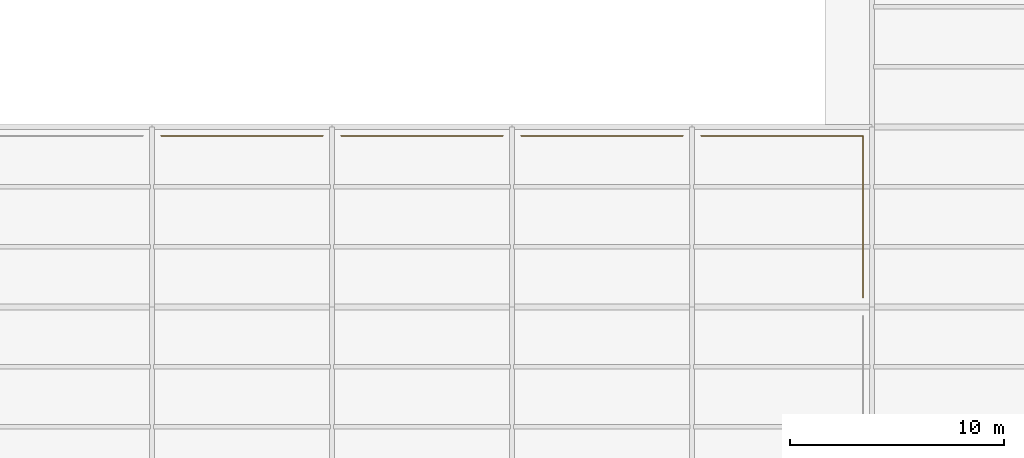
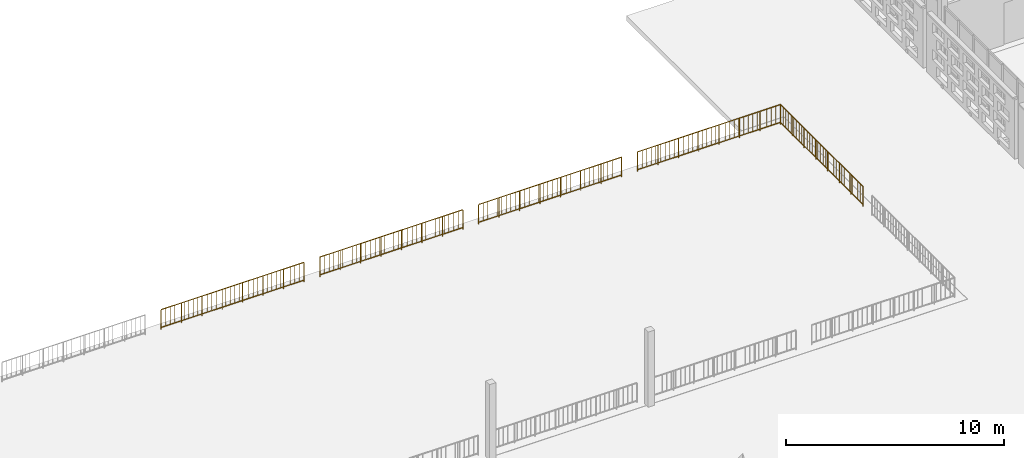
# One storey, part 127 of 166: 5 railings.
"""IFC4 building model written with IfcOpenShell, lengths in metres."""

from ifc_helpers import new_model, si_unit, direction, frame, origin, origin_2d, place, context, subcontext, project, spatial, circle, extrude, material, type_object, element, save


model = new_model("IFC4")

# Units and contexts
model_context = context("Model", 3, precision=1e-05, world=origin(), true_north=direction((0.0, 1.0)))
body_context = subcontext(model_context, "Body", "Model", "MODEL_VIEW")
ifc_project = project(units=[si_unit("LENGTHUNIT", "METRE"), si_unit("AREAUNIT", "SQUARE_METRE"), si_unit("VOLUMEUNIT", "CUBIC_METRE"), si_unit("PLANEANGLEUNIT", "RADIAN"), si_unit("MASSUNIT", "GRAM", prefix="KILO")], contexts=[model_context])

# Site, building, storey
site_placement = place(None, origin())
site = spatial("IfcSite", under=ifc_project, at=site_placement, CompositionType="ELEMENT")
building_placement = place(site_placement, origin())
building = spatial("IfcBuilding", under=site, at=building_placement, Name="Varnapada Polytechnic", CompositionType="ELEMENT")
storey_placement = place(building_placement, frame((0.0, 0.0, 9.60009765625)))
storey = spatial("IfcBuildingStorey", under=building, at=storey_placement, Name="L02", CompositionType="ELEMENT", Elevation=9.60009765625)

# Railings
ifc_material = material(Name="Painted galvanized steel", Category="steel")
railing_type = type_object("IfcRailingType", Name="Terrace Guard Rail GRD-01", PredefinedType="BALUSTRADE", material=ifc_material)
railing_1_placement = place(storey_placement, frame((92.820068359375, 41.580078125, 0.0)))
element("IfcRailing", 1, at=railing_1_placement, inside=storey, type_object=railing_type, Name="L02 terrace perimeter guard rail 10", PredefinedType="BALUSTRADE", context=body_context, shape_type="SweptSolid", body=[
    extrude(circle(Radius=0.02392578125, at=origin_2d()), frame((0.0, 0.0, 1.09619140625), z_axis=(1.0, 0.0, 0.0), x_axis=(0.0, 1.0, 0.0)), (0.0, 0.0, 1.0), 7.559814453125),
    extrude(circle(Radius=0.02392578125, at=origin_2d()), frame((0.0, 0.0, 0.10009765625), z_axis=(1.0, 0.0, 0.0), x_axis=(0.0, 1.0, 0.0)), (0.0, 0.0, 1.0), 7.559814453125),
    extrude(circle(Radius=0.02099609375, at=origin_2d()), origin(), (0.0, 0.0, 1.0), 1.072021484375),
    extrude(circle(Radius=0.02099609375, at=origin_2d()), frame((1.080078125, 0.0, 0.0)), (0.0, 0.0, 1.0), 1.072021484375),
    extrude(circle(Radius=0.02099609375, at=origin_2d()), frame((2.159912109375, 0.0, 0.0)), (0.0, 0.0, 1.0), 1.072021484375),
    extrude(circle(Radius=0.02099609375, at=origin_2d()), frame((3.239990234375, 0.0, 0.0)), (0.0, 0.0, 1.0), 1.072021484375),
    extrude(circle(Radius=0.02099609375, at=origin_2d()), frame((4.31982421875, 0.0, 0.0)), (0.0, 0.0, 1.0), 1.072021484375),
    extrude(circle(Radius=0.02099609375, at=origin_2d()), frame((5.39990234375, 0.0, 0.0)), (0.0, 0.0, 1.0), 1.072021484375),
    extrude(circle(Radius=0.02099609375, at=origin_2d()), frame((6.479736328125, 0.0, 0.0)), (0.0, 0.0, 1.0), 1.072021484375),
    extrude(circle(Radius=0.02099609375, at=origin_2d()), frame((7.559814453125, 0.0, 0.0)), (0.0, 0.0, 1.0), 1.072021484375),
    extrude(circle(Radius=0.010009765625, at=origin_2d()), frame((0.243896484375, 0.0, 0.10009765625)), (0.0, 0.0, 1.0), 0.971923828125),
    extrude(circle(Radius=0.010009765625, at=origin_2d()), frame((0.48779296875, 0.0, 0.10009765625)), (0.0, 0.0, 1.0), 0.971923828125),
    extrude(circle(Radius=0.010009765625, at=origin_2d()), frame((0.731689453125, 0.0, 0.10009765625)), (0.0, 0.0, 1.0), 0.971923828125),
    extrude(circle(Radius=0.010009765625, at=origin_2d()), frame((0.975341796875, 0.0, 0.10009765625)), (0.0, 0.0, 1.0), 0.971923828125),
    extrude(circle(Radius=0.010009765625, at=origin_2d()), frame((1.21923828125, 0.0, 0.10009765625)), (0.0, 0.0, 1.0), 0.971923828125),
    extrude(circle(Radius=0.010009765625, at=origin_2d()), frame((1.463134765625, 0.0, 0.10009765625)), (0.0, 0.0, 1.0), 0.971923828125),
    extrude(circle(Radius=0.010009765625, at=origin_2d()), frame((1.70703125, 0.0, 0.10009765625)), (0.0, 0.0, 1.0), 0.971923828125),
    extrude(circle(Radius=0.010009765625, at=origin_2d()), frame((1.950927734375, 0.0, 0.10009765625)), (0.0, 0.0, 1.0), 0.971923828125),
    extrude(circle(Radius=0.010009765625, at=origin_2d()), frame((2.19482421875, 0.0, 0.10009765625)), (0.0, 0.0, 1.0), 0.971923828125),
    extrude(circle(Radius=0.010009765625, at=origin_2d()), frame((2.438720703125, 0.0, 0.10009765625)), (0.0, 0.0, 1.0), 0.971923828125),
    extrude(circle(Radius=0.010009765625, at=origin_2d()), frame((2.6826171875, 0.0, 0.10009765625)), (0.0, 0.0, 1.0), 0.971923828125),
    extrude(circle(Radius=0.010009765625, at=origin_2d()), frame((2.92626953125, 0.0, 0.10009765625)), (0.0, 0.0, 1.0), 0.971923828125),
    extrude(circle(Radius=0.010009765625, at=origin_2d()), frame((3.170166015625, 0.0, 0.10009765625)), (0.0, 0.0, 1.0), 0.971923828125),
    extrude(circle(Radius=0.010009765625, at=origin_2d()), frame((3.4140625, 0.0, 0.10009765625)), (0.0, 0.0, 1.0), 0.971923828125),
    extrude(circle(Radius=0.010009765625, at=origin_2d()), frame((3.657958984375, 0.0, 0.10009765625)), (0.0, 0.0, 1.0), 0.971923828125),
    extrude(circle(Radius=0.010009765625, at=origin_2d()), frame((3.90185546875, 0.0, 0.10009765625)), (0.0, 0.0, 1.0), 0.971923828125),
    extrude(circle(Radius=0.010009765625, at=origin_2d()), frame((4.145751953125, 0.0, 0.10009765625)), (0.0, 0.0, 1.0), 0.971923828125),
    extrude(circle(Radius=0.010009765625, at=origin_2d()), frame((4.3896484375, 0.0, 0.10009765625)), (0.0, 0.0, 1.0), 0.971923828125),
    extrude(circle(Radius=0.010009765625, at=origin_2d()), frame((4.633544921875, 0.0, 0.10009765625)), (0.0, 0.0, 1.0), 0.971923828125),
    extrude(circle(Radius=0.010009765625, at=origin_2d()), frame((4.877197265625, 0.0, 0.10009765625)), (0.0, 0.0, 1.0), 0.971923828125),
    extrude(circle(Radius=0.010009765625, at=origin_2d()), frame((5.12109375, 0.0, 0.10009765625)), (0.0, 0.0, 1.0), 0.971923828125),
    extrude(circle(Radius=0.010009765625, at=origin_2d()), frame((5.364990234375, 0.0, 0.10009765625)), (0.0, 0.0, 1.0), 0.971923828125),
    extrude(circle(Radius=0.010009765625, at=origin_2d()), frame((5.60888671875, 0.0, 0.10009765625)), (0.0, 0.0, 1.0), 0.971923828125),
    extrude(circle(Radius=0.010009765625, at=origin_2d()), frame((5.852783203125, 0.0, 0.10009765625)), (0.0, 0.0, 1.0), 0.971923828125),
    extrude(circle(Radius=0.010009765625, at=origin_2d()), frame((6.0966796875, 0.0, 0.10009765625)), (0.0, 0.0, 1.0), 0.971923828125),
    extrude(circle(Radius=0.010009765625, at=origin_2d()), frame((6.340576171875, 0.0, 0.10009765625)), (0.0, 0.0, 1.0), 0.971923828125),
    extrude(circle(Radius=0.010009765625, at=origin_2d()), frame((6.58447265625, 0.0, 0.10009765625)), (0.0, 0.0, 1.0), 0.971923828125),
    extrude(circle(Radius=0.010009765625, at=origin_2d()), frame((6.828125, 0.0, 0.10009765625)), (0.0, 0.0, 1.0), 0.971923828125),
    extrude(circle(Radius=0.010009765625, at=origin_2d()), frame((7.072021484375, 0.0, 0.10009765625)), (0.0, 0.0, 1.0), 0.971923828125),
    extrude(circle(Radius=0.010009765625, at=origin_2d()), frame((7.31591796875, 0.0, 0.10009765625)), (0.0, 0.0, 1.0), 0.971923828125),
])
railing_2_placement = place(storey_placement, frame((101.219970703125, 41.580078125, 0.0)))
element("IfcRailing", 2, at=railing_2_placement, inside=storey, type_object=railing_type, Name="L02 terrace perimeter guard rail 12", PredefinedType="BALUSTRADE", context=body_context, shape_type="SweptSolid", body=[
    extrude(circle(Radius=0.02392578125, at=origin_2d()), frame((0.0, 0.0, 1.09619140625), z_axis=(1.0, 0.0, 0.0), x_axis=(0.0, 1.0, 0.0)), (0.0, 0.0, 1.0), 7.56005859375),
    extrude(circle(Radius=0.02392578125, at=origin_2d()), frame((0.0, 0.0, 0.10009765625), z_axis=(1.0, 0.0, 0.0), x_axis=(0.0, 1.0, 0.0)), (0.0, 0.0, 1.0), 7.56005859375),
    extrude(circle(Radius=0.02099609375, at=origin_2d()), origin(), (0.0, 0.0, 1.0), 1.072021484375),
    extrude(circle(Radius=0.02099609375, at=origin_2d()), frame((1.080078125, 0.0, 0.0)), (0.0, 0.0, 1.0), 1.072021484375),
    extrude(circle(Radius=0.02099609375, at=origin_2d()), frame((2.159912109375, 0.0, 0.0)), (0.0, 0.0, 1.0), 1.072021484375),
    extrude(circle(Radius=0.02099609375, at=origin_2d()), frame((3.239990234375, 0.0, 0.0)), (0.0, 0.0, 1.0), 1.072021484375),
    extrude(circle(Radius=0.02099609375, at=origin_2d()), frame((4.320068359375, 0.0, 0.0)), (0.0, 0.0, 1.0), 1.072021484375),
    extrude(circle(Radius=0.02099609375, at=origin_2d()), frame((5.400146484375, 0.0, 0.0)), (0.0, 0.0, 1.0), 1.072021484375),
    extrude(circle(Radius=0.02099609375, at=origin_2d()), frame((6.47998046875, 0.0, 0.0)), (0.0, 0.0, 1.0), 1.072021484375),
    extrude(circle(Radius=0.02099609375, at=origin_2d()), frame((7.56005859375, 0.0, 0.0)), (0.0, 0.0, 1.0), 1.072021484375),
    extrude(circle(Radius=0.010009765625, at=origin_2d()), frame((0.243896484375, 0.0, 0.10009765625)), (0.0, 0.0, 1.0), 0.971923828125),
    extrude(circle(Radius=0.010009765625, at=origin_2d()), frame((0.48779296875, 0.0, 0.10009765625)), (0.0, 0.0, 1.0), 0.971923828125),
    extrude(circle(Radius=0.010009765625, at=origin_2d()), frame((0.731689453125, 0.0, 0.10009765625)), (0.0, 0.0, 1.0), 0.971923828125),
    extrude(circle(Radius=0.010009765625, at=origin_2d()), frame((0.9755859375, 0.0, 0.10009765625)), (0.0, 0.0, 1.0), 0.971923828125),
    extrude(circle(Radius=0.010009765625, at=origin_2d()), frame((1.219482421875, 0.0, 0.10009765625)), (0.0, 0.0, 1.0), 0.971923828125),
    extrude(circle(Radius=0.010009765625, at=origin_2d()), frame((1.463134765625, 0.0, 0.10009765625)), (0.0, 0.0, 1.0), 0.971923828125),
    extrude(circle(Radius=0.010009765625, at=origin_2d()), frame((1.70703125, 0.0, 0.10009765625)), (0.0, 0.0, 1.0), 0.971923828125),
    extrude(circle(Radius=0.010009765625, at=origin_2d()), frame((1.950927734375, 0.0, 0.10009765625)), (0.0, 0.0, 1.0), 0.971923828125),
    extrude(circle(Radius=0.010009765625, at=origin_2d()), frame((2.19482421875, 0.0, 0.10009765625)), (0.0, 0.0, 1.0), 0.971923828125),
    extrude(circle(Radius=0.010009765625, at=origin_2d()), frame((2.438720703125, 0.0, 0.10009765625)), (0.0, 0.0, 1.0), 0.971923828125),
    extrude(circle(Radius=0.010009765625, at=origin_2d()), frame((2.6826171875, 0.0, 0.10009765625)), (0.0, 0.0, 1.0), 0.971923828125),
    extrude(circle(Radius=0.010009765625, at=origin_2d()), frame((2.926513671875, 0.0, 0.10009765625)), (0.0, 0.0, 1.0), 0.971923828125),
    extrude(circle(Radius=0.010009765625, at=origin_2d()), frame((3.17041015625, 0.0, 0.10009765625)), (0.0, 0.0, 1.0), 0.971923828125),
    extrude(circle(Radius=0.010009765625, at=origin_2d()), frame((3.414306640625, 0.0, 0.10009765625)), (0.0, 0.0, 1.0), 0.971923828125),
    extrude(circle(Radius=0.010009765625, at=origin_2d()), frame((3.658203125, 0.0, 0.10009765625)), (0.0, 0.0, 1.0), 0.971923828125),
    extrude(circle(Radius=0.010009765625, at=origin_2d()), frame((3.90185546875, 0.0, 0.10009765625)), (0.0, 0.0, 1.0), 0.971923828125),
    extrude(circle(Radius=0.010009765625, at=origin_2d()), frame((4.145751953125, 0.0, 0.10009765625)), (0.0, 0.0, 1.0), 0.971923828125),
    extrude(circle(Radius=0.010009765625, at=origin_2d()), frame((4.3896484375, 0.0, 0.10009765625)), (0.0, 0.0, 1.0), 0.971923828125),
    extrude(circle(Radius=0.010009765625, at=origin_2d()), frame((4.633544921875, 0.0, 0.10009765625)), (0.0, 0.0, 1.0), 0.971923828125),
    extrude(circle(Radius=0.010009765625, at=origin_2d()), frame((4.87744140625, 0.0, 0.10009765625)), (0.0, 0.0, 1.0), 0.971923828125),
    extrude(circle(Radius=0.010009765625, at=origin_2d()), frame((5.121337890625, 0.0, 0.10009765625)), (0.0, 0.0, 1.0), 0.971923828125),
    extrude(circle(Radius=0.010009765625, at=origin_2d()), frame((5.365234375, 0.0, 0.10009765625)), (0.0, 0.0, 1.0), 0.971923828125),
    extrude(circle(Radius=0.010009765625, at=origin_2d()), frame((5.609130859375, 0.0, 0.10009765625)), (0.0, 0.0, 1.0), 0.971923828125),
    extrude(circle(Radius=0.010009765625, at=origin_2d()), frame((5.85302734375, 0.0, 0.10009765625)), (0.0, 0.0, 1.0), 0.971923828125),
    extrude(circle(Radius=0.010009765625, at=origin_2d()), frame((6.096923828125, 0.0, 0.10009765625)), (0.0, 0.0, 1.0), 0.971923828125),
    extrude(circle(Radius=0.010009765625, at=origin_2d()), frame((6.340576171875, 0.0, 0.10009765625)), (0.0, 0.0, 1.0), 0.971923828125),
    extrude(circle(Radius=0.010009765625, at=origin_2d()), frame((6.58447265625, 0.0, 0.10009765625)), (0.0, 0.0, 1.0), 0.971923828125),
    extrude(circle(Radius=0.010009765625, at=origin_2d()), frame((6.828369140625, 0.0, 0.10009765625)), (0.0, 0.0, 1.0), 0.971923828125),
    extrude(circle(Radius=0.010009765625, at=origin_2d()), frame((7.072265625, 0.0, 0.10009765625)), (0.0, 0.0, 1.0), 0.971923828125),
    extrude(circle(Radius=0.010009765625, at=origin_2d()), frame((7.316162109375, 0.0, 0.10009765625)), (0.0, 0.0, 1.0), 0.971923828125),
])
railing_3_placement = place(storey_placement, frame((109.6201171875, 41.580078125, 0.0)))
element("IfcRailing", 3, at=railing_3_placement, inside=storey, type_object=railing_type, Name="L02 terrace perimeter guard rail 14", PredefinedType="BALUSTRADE", context=body_context, shape_type="SweptSolid", body=[
    extrude(circle(Radius=0.02392578125, at=origin_2d()), frame((0.0, 0.0, 1.09619140625), z_axis=(1.0, 0.0, 0.0), x_axis=(0.0, 1.0, 0.0)), (0.0, 0.0, 1.0), 7.559814453125),
    extrude(circle(Radius=0.02392578125, at=origin_2d()), frame((0.0, 0.0, 0.10009765625), z_axis=(1.0, 0.0, 0.0), x_axis=(0.0, 1.0, 0.0)), (0.0, 0.0, 1.0), 7.559814453125),
    extrude(circle(Radius=0.02099609375, at=origin_2d()), origin(), (0.0, 0.0, 1.0), 1.072021484375),
    extrude(circle(Radius=0.02099609375, at=origin_2d()), frame((1.080078125, 0.0, 0.0)), (0.0, 0.0, 1.0), 1.072021484375),
    extrude(circle(Radius=0.02099609375, at=origin_2d()), frame((2.159912109375, 0.0, 0.0)), (0.0, 0.0, 1.0), 1.072021484375),
    extrude(circle(Radius=0.02099609375, at=origin_2d()), frame((3.239990234375, 0.0, 0.0)), (0.0, 0.0, 1.0), 1.072021484375),
    extrude(circle(Radius=0.02099609375, at=origin_2d()), frame((4.31982421875, 0.0, 0.0)), (0.0, 0.0, 1.0), 1.072021484375),
    extrude(circle(Radius=0.02099609375, at=origin_2d()), frame((5.39990234375, 0.0, 0.0)), (0.0, 0.0, 1.0), 1.072021484375),
    extrude(circle(Radius=0.02099609375, at=origin_2d()), frame((6.479736328125, 0.0, 0.0)), (0.0, 0.0, 1.0), 1.072021484375),
    extrude(circle(Radius=0.02099609375, at=origin_2d()), frame((7.559814453125, 0.0, 0.0)), (0.0, 0.0, 1.0), 1.072021484375),
    extrude(circle(Radius=0.010009765625, at=origin_2d()), frame((0.243896484375, 0.0, 0.10009765625)), (0.0, 0.0, 1.0), 0.971923828125),
    extrude(circle(Radius=0.010009765625, at=origin_2d()), frame((0.48779296875, 0.0, 0.10009765625)), (0.0, 0.0, 1.0), 0.971923828125),
    extrude(circle(Radius=0.010009765625, at=origin_2d()), frame((0.731689453125, 0.0, 0.10009765625)), (0.0, 0.0, 1.0), 0.971923828125),
    extrude(circle(Radius=0.010009765625, at=origin_2d()), frame((0.975341796875, 0.0, 0.10009765625)), (0.0, 0.0, 1.0), 0.971923828125),
    extrude(circle(Radius=0.010009765625, at=origin_2d()), frame((1.21923828125, 0.0, 0.10009765625)), (0.0, 0.0, 1.0), 0.971923828125),
    extrude(circle(Radius=0.010009765625, at=origin_2d()), frame((1.463134765625, 0.0, 0.10009765625)), (0.0, 0.0, 1.0), 0.971923828125),
    extrude(circle(Radius=0.010009765625, at=origin_2d()), frame((1.70703125, 0.0, 0.10009765625)), (0.0, 0.0, 1.0), 0.971923828125),
    extrude(circle(Radius=0.010009765625, at=origin_2d()), frame((1.950927734375, 0.0, 0.10009765625)), (0.0, 0.0, 1.0), 0.971923828125),
    extrude(circle(Radius=0.010009765625, at=origin_2d()), frame((2.19482421875, 0.0, 0.10009765625)), (0.0, 0.0, 1.0), 0.971923828125),
    extrude(circle(Radius=0.010009765625, at=origin_2d()), frame((2.438720703125, 0.0, 0.10009765625)), (0.0, 0.0, 1.0), 0.971923828125),
    extrude(circle(Radius=0.010009765625, at=origin_2d()), frame((2.6826171875, 0.0, 0.10009765625)), (0.0, 0.0, 1.0), 0.971923828125),
    extrude(circle(Radius=0.010009765625, at=origin_2d()), frame((2.92626953125, 0.0, 0.10009765625)), (0.0, 0.0, 1.0), 0.971923828125),
    extrude(circle(Radius=0.010009765625, at=origin_2d()), frame((3.170166015625, 0.0, 0.10009765625)), (0.0, 0.0, 1.0), 0.971923828125),
    extrude(circle(Radius=0.010009765625, at=origin_2d()), frame((3.4140625, 0.0, 0.10009765625)), (0.0, 0.0, 1.0), 0.971923828125),
    extrude(circle(Radius=0.010009765625, at=origin_2d()), frame((3.657958984375, 0.0, 0.10009765625)), (0.0, 0.0, 1.0), 0.971923828125),
    extrude(circle(Radius=0.010009765625, at=origin_2d()), frame((3.90185546875, 0.0, 0.10009765625)), (0.0, 0.0, 1.0), 0.971923828125),
    extrude(circle(Radius=0.010009765625, at=origin_2d()), frame((4.145751953125, 0.0, 0.10009765625)), (0.0, 0.0, 1.0), 0.971923828125),
    extrude(circle(Radius=0.010009765625, at=origin_2d()), frame((4.3896484375, 0.0, 0.10009765625)), (0.0, 0.0, 1.0), 0.971923828125),
    extrude(circle(Radius=0.010009765625, at=origin_2d()), frame((4.633544921875, 0.0, 0.10009765625)), (0.0, 0.0, 1.0), 0.971923828125),
    extrude(circle(Radius=0.010009765625, at=origin_2d()), frame((4.877197265625, 0.0, 0.10009765625)), (0.0, 0.0, 1.0), 0.971923828125),
    extrude(circle(Radius=0.010009765625, at=origin_2d()), frame((5.12109375, 0.0, 0.10009765625)), (0.0, 0.0, 1.0), 0.971923828125),
    extrude(circle(Radius=0.010009765625, at=origin_2d()), frame((5.364990234375, 0.0, 0.10009765625)), (0.0, 0.0, 1.0), 0.971923828125),
    extrude(circle(Radius=0.010009765625, at=origin_2d()), frame((5.60888671875, 0.0, 0.10009765625)), (0.0, 0.0, 1.0), 0.971923828125),
    extrude(circle(Radius=0.010009765625, at=origin_2d()), frame((5.852783203125, 0.0, 0.10009765625)), (0.0, 0.0, 1.0), 0.971923828125),
    extrude(circle(Radius=0.010009765625, at=origin_2d()), frame((6.0966796875, 0.0, 0.10009765625)), (0.0, 0.0, 1.0), 0.971923828125),
    extrude(circle(Radius=0.010009765625, at=origin_2d()), frame((6.340576171875, 0.0, 0.10009765625)), (0.0, 0.0, 1.0), 0.971923828125),
    extrude(circle(Radius=0.010009765625, at=origin_2d()), frame((6.58447265625, 0.0, 0.10009765625)), (0.0, 0.0, 1.0), 0.971923828125),
    extrude(circle(Radius=0.010009765625, at=origin_2d()), frame((6.828125, 0.0, 0.10009765625)), (0.0, 0.0, 1.0), 0.971923828125),
    extrude(circle(Radius=0.010009765625, at=origin_2d()), frame((7.072021484375, 0.0, 0.10009765625)), (0.0, 0.0, 1.0), 0.971923828125),
    extrude(circle(Radius=0.010009765625, at=origin_2d()), frame((7.31591796875, 0.0, 0.10009765625)), (0.0, 0.0, 1.0), 0.971923828125),
])
railing_4_placement = place(storey_placement, frame((118.02001953125, 41.580078125, 0.0)))
element("IfcRailing", 4, at=railing_4_placement, inside=storey, type_object=railing_type, Name="L02 terrace perimeter guard rail 17", PredefinedType="BALUSTRADE", context=body_context, shape_type="SweptSolid", body=[
    extrude(circle(Radius=0.02392578125, at=origin_2d()), frame((0.0, 0.0, 1.09619140625), z_axis=(1.0, 0.0, 0.0), x_axis=(0.0, 1.0, 0.0)), (0.0, 0.0, 1.0), 7.56005859375),
    extrude(circle(Radius=0.02392578125, at=origin_2d()), frame((0.0, 0.0, 0.10009765625), z_axis=(1.0, 0.0, 0.0), x_axis=(0.0, 1.0, 0.0)), (0.0, 0.0, 1.0), 7.56005859375),
    extrude(circle(Radius=0.02099609375, at=origin_2d()), origin(), (0.0, 0.0, 1.0), 1.072021484375),
    extrude(circle(Radius=0.02099609375, at=origin_2d()), frame((1.080078125, 0.0, 0.0)), (0.0, 0.0, 1.0), 1.072021484375),
    extrude(circle(Radius=0.02099609375, at=origin_2d()), frame((2.159912109375, 0.0, 0.0)), (0.0, 0.0, 1.0), 1.072021484375),
    extrude(circle(Radius=0.02099609375, at=origin_2d()), frame((3.239990234375, 0.0, 0.0)), (0.0, 0.0, 1.0), 1.072021484375),
    extrude(circle(Radius=0.02099609375, at=origin_2d()), frame((4.320068359375, 0.0, 0.0)), (0.0, 0.0, 1.0), 1.072021484375),
    extrude(circle(Radius=0.02099609375, at=origin_2d()), frame((5.400146484375, 0.0, 0.0)), (0.0, 0.0, 1.0), 1.072021484375),
    extrude(circle(Radius=0.02099609375, at=origin_2d()), frame((6.47998046875, 0.0, 0.0)), (0.0, 0.0, 1.0), 1.072021484375),
    extrude(circle(Radius=0.02099609375, at=origin_2d()), frame((7.56005859375, 0.0, 0.0)), (0.0, 0.0, 1.0), 1.072021484375),
    extrude(circle(Radius=0.010009765625, at=origin_2d()), frame((0.243896484375, 0.0, 0.10009765625)), (0.0, 0.0, 1.0), 0.971923828125),
    extrude(circle(Radius=0.010009765625, at=origin_2d()), frame((0.48779296875, 0.0, 0.10009765625)), (0.0, 0.0, 1.0), 0.971923828125),
    extrude(circle(Radius=0.010009765625, at=origin_2d()), frame((0.731689453125, 0.0, 0.10009765625)), (0.0, 0.0, 1.0), 0.971923828125),
    extrude(circle(Radius=0.010009765625, at=origin_2d()), frame((0.9755859375, 0.0, 0.10009765625)), (0.0, 0.0, 1.0), 0.971923828125),
    extrude(circle(Radius=0.010009765625, at=origin_2d()), frame((1.219482421875, 0.0, 0.10009765625)), (0.0, 0.0, 1.0), 0.971923828125),
    extrude(circle(Radius=0.010009765625, at=origin_2d()), frame((1.463134765625, 0.0, 0.10009765625)), (0.0, 0.0, 1.0), 0.971923828125),
    extrude(circle(Radius=0.010009765625, at=origin_2d()), frame((1.70703125, 0.0, 0.10009765625)), (0.0, 0.0, 1.0), 0.971923828125),
    extrude(circle(Radius=0.010009765625, at=origin_2d()), frame((1.950927734375, 0.0, 0.10009765625)), (0.0, 0.0, 1.0), 0.971923828125),
    extrude(circle(Radius=0.010009765625, at=origin_2d()), frame((2.19482421875, 0.0, 0.10009765625)), (0.0, 0.0, 1.0), 0.971923828125),
    extrude(circle(Radius=0.010009765625, at=origin_2d()), frame((2.438720703125, 0.0, 0.10009765625)), (0.0, 0.0, 1.0), 0.971923828125),
    extrude(circle(Radius=0.010009765625, at=origin_2d()), frame((2.6826171875, 0.0, 0.10009765625)), (0.0, 0.0, 1.0), 0.971923828125),
    extrude(circle(Radius=0.010009765625, at=origin_2d()), frame((2.926513671875, 0.0, 0.10009765625)), (0.0, 0.0, 1.0), 0.971923828125),
    extrude(circle(Radius=0.010009765625, at=origin_2d()), frame((3.17041015625, 0.0, 0.10009765625)), (0.0, 0.0, 1.0), 0.971923828125),
    extrude(circle(Radius=0.010009765625, at=origin_2d()), frame((3.414306640625, 0.0, 0.10009765625)), (0.0, 0.0, 1.0), 0.971923828125),
    extrude(circle(Radius=0.010009765625, at=origin_2d()), frame((3.658203125, 0.0, 0.10009765625)), (0.0, 0.0, 1.0), 0.971923828125),
    extrude(circle(Radius=0.010009765625, at=origin_2d()), frame((3.90185546875, 0.0, 0.10009765625)), (0.0, 0.0, 1.0), 0.971923828125),
    extrude(circle(Radius=0.010009765625, at=origin_2d()), frame((4.145751953125, 0.0, 0.10009765625)), (0.0, 0.0, 1.0), 0.971923828125),
    extrude(circle(Radius=0.010009765625, at=origin_2d()), frame((4.3896484375, 0.0, 0.10009765625)), (0.0, 0.0, 1.0), 0.971923828125),
    extrude(circle(Radius=0.010009765625, at=origin_2d()), frame((4.633544921875, 0.0, 0.10009765625)), (0.0, 0.0, 1.0), 0.971923828125),
    extrude(circle(Radius=0.010009765625, at=origin_2d()), frame((4.87744140625, 0.0, 0.10009765625)), (0.0, 0.0, 1.0), 0.971923828125),
    extrude(circle(Radius=0.010009765625, at=origin_2d()), frame((5.121337890625, 0.0, 0.10009765625)), (0.0, 0.0, 1.0), 0.971923828125),
    extrude(circle(Radius=0.010009765625, at=origin_2d()), frame((5.365234375, 0.0, 0.10009765625)), (0.0, 0.0, 1.0), 0.971923828125),
    extrude(circle(Radius=0.010009765625, at=origin_2d()), frame((5.609130859375, 0.0, 0.10009765625)), (0.0, 0.0, 1.0), 0.971923828125),
    extrude(circle(Radius=0.010009765625, at=origin_2d()), frame((5.85302734375, 0.0, 0.10009765625)), (0.0, 0.0, 1.0), 0.971923828125),
    extrude(circle(Radius=0.010009765625, at=origin_2d()), frame((6.096923828125, 0.0, 0.10009765625)), (0.0, 0.0, 1.0), 0.971923828125),
    extrude(circle(Radius=0.010009765625, at=origin_2d()), frame((6.340576171875, 0.0, 0.10009765625)), (0.0, 0.0, 1.0), 0.971923828125),
    extrude(circle(Radius=0.010009765625, at=origin_2d()), frame((6.58447265625, 0.0, 0.10009765625)), (0.0, 0.0, 1.0), 0.971923828125),
    extrude(circle(Radius=0.010009765625, at=origin_2d()), frame((6.828369140625, 0.0, 0.10009765625)), (0.0, 0.0, 1.0), 0.971923828125),
    extrude(circle(Radius=0.010009765625, at=origin_2d()), frame((7.072265625, 0.0, 0.10009765625)), (0.0, 0.0, 1.0), 0.971923828125),
    extrude(circle(Radius=0.010009765625, at=origin_2d()), frame((7.316162109375, 0.0, 0.10009765625)), (0.0, 0.0, 1.0), 0.971923828125),
])
railing_5_placement = place(storey_placement, frame((125.580078125, 34.02001953125, 0.0)))
element("IfcRailing", 5, at=railing_5_placement, inside=storey, type_object=railing_type, Name="L02 terrace perimeter guard rail 18", PredefinedType="BALUSTRADE", context=body_context, shape_type="SweptSolid", body=[
    extrude(circle(Radius=0.02392578125, at=origin_2d()), frame((0.0, 0.0, 1.09619140625), z_axis=(0.0, 1.0, 0.0), x_axis=(-1.0, 0.0, 0.0)), (0.0, 0.0, 1.0), 7.56005859375),
    extrude(circle(Radius=0.02392578125, at=origin_2d()), frame((0.0, 0.0, 0.10009765625), z_axis=(0.0, 1.0, 0.0), x_axis=(-1.0, 0.0, 0.0)), (0.0, 0.0, 1.0), 7.56005859375),
    extrude(circle(Radius=0.02099609375, at=origin_2d()), origin(), (0.0, 0.0, 1.0), 1.072021484375),
    extrude(circle(Radius=0.02099609375, at=origin_2d()), frame((0.0, 1.080078125, 0.0)), (0.0, 0.0, 1.0), 1.072021484375),
    extrude(circle(Radius=0.02099609375, at=origin_2d()), frame((0.0, 2.159912109375, 0.0)), (0.0, 0.0, 1.0), 1.072021484375),
    extrude(circle(Radius=0.02099609375, at=origin_2d()), frame((0.0, 3.239990234375, 0.0)), (0.0, 0.0, 1.0), 1.072021484375),
    extrude(circle(Radius=0.02099609375, at=origin_2d()), frame((0.0, 4.320068359375, 0.0)), (0.0, 0.0, 1.0), 1.072021484375),
    extrude(circle(Radius=0.02099609375, at=origin_2d()), frame((0.0, 5.400146484375, 0.0)), (0.0, 0.0, 1.0), 1.072021484375),
    extrude(circle(Radius=0.02099609375, at=origin_2d()), frame((0.0, 6.47998046875, 0.0)), (0.0, 0.0, 1.0), 1.072021484375),
    extrude(circle(Radius=0.02099609375, at=origin_2d()), frame((0.0, 7.56005859375, 0.0)), (0.0, 0.0, 1.0), 1.072021484375),
    extrude(circle(Radius=0.010009765625, at=origin_2d()), frame((0.0, 0.243896484375, 0.10009765625)), (0.0, 0.0, 1.0), 0.971923828125),
    extrude(circle(Radius=0.010009765625, at=origin_2d()), frame((0.0, 0.48779296875, 0.10009765625)), (0.0, 0.0, 1.0), 0.971923828125),
    extrude(circle(Radius=0.010009765625, at=origin_2d()), frame((0.0, 0.731689453125, 0.10009765625)), (0.0, 0.0, 1.0), 0.971923828125),
    extrude(circle(Radius=0.010009765625, at=origin_2d()), frame((0.0, 0.9755859375, 0.10009765625)), (0.0, 0.0, 1.0), 0.971923828125),
    extrude(circle(Radius=0.010009765625, at=origin_2d()), frame((0.0, 1.219482421875, 0.10009765625)), (0.0, 0.0, 1.0), 0.971923828125),
    extrude(circle(Radius=0.010009765625, at=origin_2d()), frame((0.0, 1.463134765625, 0.10009765625)), (0.0, 0.0, 1.0), 0.971923828125),
    extrude(circle(Radius=0.010009765625, at=origin_2d()), frame((0.0, 1.70703125, 0.10009765625)), (0.0, 0.0, 1.0), 0.971923828125),
    extrude(circle(Radius=0.010009765625, at=origin_2d()), frame((0.0, 1.950927734375, 0.10009765625)), (0.0, 0.0, 1.0), 0.971923828125),
    extrude(circle(Radius=0.010009765625, at=origin_2d()), frame((0.0, 2.19482421875, 0.10009765625)), (0.0, 0.0, 1.0), 0.971923828125),
    extrude(circle(Radius=0.010009765625, at=origin_2d()), frame((0.0, 2.438720703125, 0.10009765625)), (0.0, 0.0, 1.0), 0.971923828125),
    extrude(circle(Radius=0.010009765625, at=origin_2d()), frame((0.0, 2.6826171875, 0.10009765625)), (0.0, 0.0, 1.0), 0.971923828125),
    extrude(circle(Radius=0.010009765625, at=origin_2d()), frame((0.0, 2.926513671875, 0.10009765625)), (0.0, 0.0, 1.0), 0.971923828125),
    extrude(circle(Radius=0.010009765625, at=origin_2d()), frame((0.0, 3.17041015625, 0.10009765625)), (0.0, 0.0, 1.0), 0.971923828125),
    extrude(circle(Radius=0.010009765625, at=origin_2d()), frame((0.0, 3.414306640625, 0.10009765625)), (0.0, 0.0, 1.0), 0.971923828125),
    extrude(circle(Radius=0.010009765625, at=origin_2d()), frame((0.0, 3.658203125, 0.10009765625)), (0.0, 0.0, 1.0), 0.971923828125),
    extrude(circle(Radius=0.010009765625, at=origin_2d()), frame((0.0, 3.90185546875, 0.10009765625)), (0.0, 0.0, 1.0), 0.971923828125),
    extrude(circle(Radius=0.010009765625, at=origin_2d()), frame((0.0, 4.145751953125, 0.10009765625)), (0.0, 0.0, 1.0), 0.971923828125),
    extrude(circle(Radius=0.010009765625, at=origin_2d()), frame((0.0, 4.3896484375, 0.10009765625)), (0.0, 0.0, 1.0), 0.971923828125),
    extrude(circle(Radius=0.010009765625, at=origin_2d()), frame((0.0, 4.633544921875, 0.10009765625)), (0.0, 0.0, 1.0), 0.971923828125),
    extrude(circle(Radius=0.010009765625, at=origin_2d()), frame((0.0, 4.87744140625, 0.10009765625)), (0.0, 0.0, 1.0), 0.971923828125),
    extrude(circle(Radius=0.010009765625, at=origin_2d()), frame((0.0, 5.121337890625, 0.10009765625)), (0.0, 0.0, 1.0), 0.971923828125),
    extrude(circle(Radius=0.010009765625, at=origin_2d()), frame((0.0, 5.365234375, 0.10009765625)), (0.0, 0.0, 1.0), 0.971923828125),
    extrude(circle(Radius=0.010009765625, at=origin_2d()), frame((0.0, 5.609130859375, 0.10009765625)), (0.0, 0.0, 1.0), 0.971923828125),
    extrude(circle(Radius=0.010009765625, at=origin_2d()), frame((0.0, 5.85302734375, 0.10009765625)), (0.0, 0.0, 1.0), 0.971923828125),
    extrude(circle(Radius=0.010009765625, at=origin_2d()), frame((0.0, 6.096923828125, 0.10009765625)), (0.0, 0.0, 1.0), 0.971923828125),
    extrude(circle(Radius=0.010009765625, at=origin_2d()), frame((0.0, 6.340576171875, 0.10009765625)), (0.0, 0.0, 1.0), 0.971923828125),
    extrude(circle(Radius=0.010009765625, at=origin_2d()), frame((0.0, 6.58447265625, 0.10009765625)), (0.0, 0.0, 1.0), 0.971923828125),
    extrude(circle(Radius=0.010009765625, at=origin_2d()), frame((0.0, 6.828369140625, 0.10009765625)), (0.0, 0.0, 1.0), 0.971923828125),
    extrude(circle(Radius=0.010009765625, at=origin_2d()), frame((0.0, 7.072265625, 0.10009765625)), (0.0, 0.0, 1.0), 0.971923828125),
    extrude(circle(Radius=0.010009765625, at=origin_2d()), frame((0.0, 7.316162109375, 0.10009765625)), (0.0, 0.0, 1.0), 0.971923828125),
])

save(model, "model.ifc")
